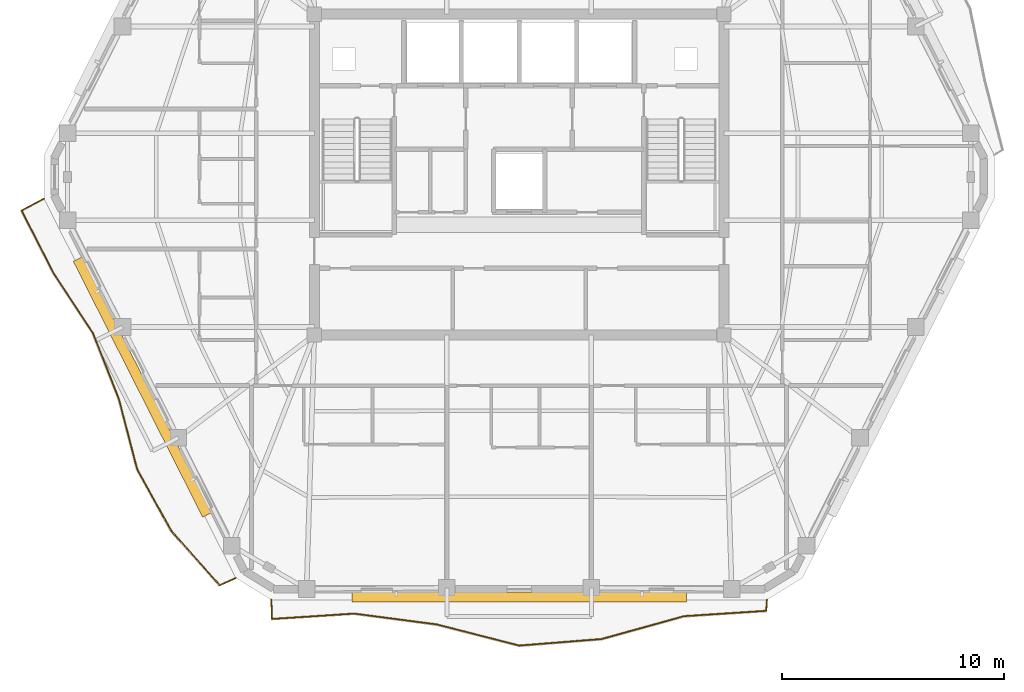
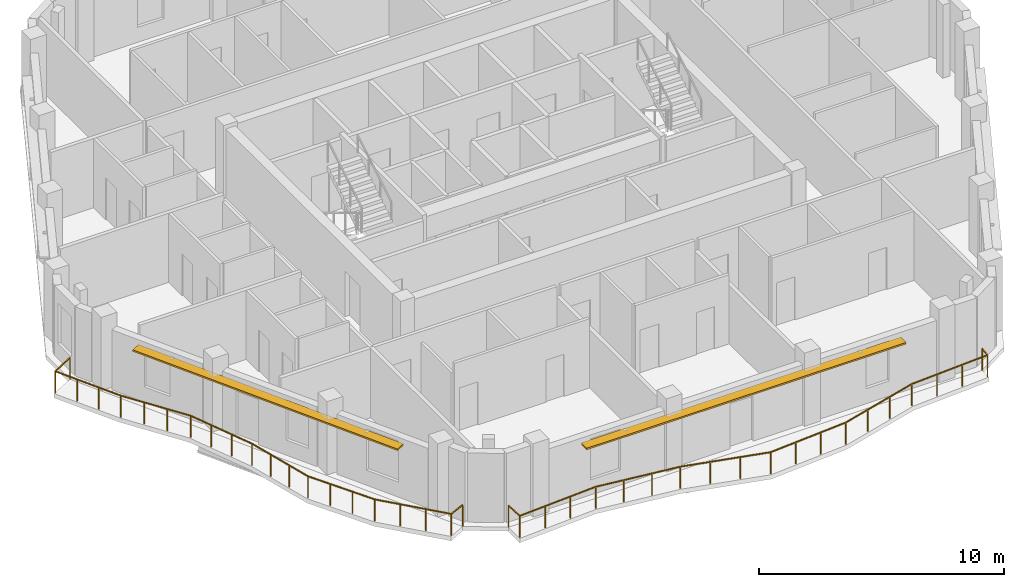
# One storey, part 9 of 11: 2 railings, 2 shading devices.
"""IFC4 building model written with IfcOpenShell, lengths in metres."""

import ifcopenshell
import ifcopenshell.guid

model = None  # the IFC model being written
_history = None  # IfcOwnerHistory: only IFC2X3 demands one
_inside = {}  # id of a spatial element -> (the spatial element, [elements in it])
_under = {}  # id of a project, library or spatial element -> (it, [spatial elements below it])
_declared = {}  # id of a project -> (the project, [libraries it declares])
_typed = {}  # id of a type object -> (the type object, [elements of that type])
_made_of = {}  # id of a material, layer set ... -> (it, [elements and type objects made of it])


def new_model(schema):
    """Start an empty IFC model of exactly this schema.

    Asked for "IFC4X3", IfcOpenShell would pick the latest addendum, in which some entities
    have other attributes; the version numbers below select the first issue.
    IFC2X3 requires an IfcOwnerHistory on every rooted entity: one is made here for all.
    """
    global model, _history
    if schema == "IFC4X3":
        model = ifcopenshell.file(schema_version=(4, 3, 0, 0))
    else:
        model = ifcopenshell.file(schema=schema)
    _inside.clear()
    _under.clear()
    _declared.clear()
    _typed.clear()
    _made_of.clear()
    _history = None
    if model.schema == "IFC2X3":
        org = make("IfcOrganization", Name="unknown")
        user = make(
            "IfcPersonAndOrganization",
            ThePerson=make("IfcPerson", FamilyName="unknown"),
            TheOrganization=org,
        )
        app = make(
            "IfcApplication",
            ApplicationDeveloper=org,
            Version="unknown",
            ApplicationFullName="unknown",
            ApplicationIdentifier="unknown",
        )
        _history = make(
            "IfcOwnerHistory",
            OwningUser=user,
            OwningApplication=app,
            ChangeAction="ADDED",
            CreationDate=0,
        )
    return model


def make(cls, **values):
    """One entity of the class cls with the attributes given. An attribute that is None is left unset."""
    return model.create_entity(
        cls, **{name: value for name, value in values.items() if value is not None}
    )


def rooted(cls, **values):
    """An entity with a GlobalId (a new one), such as an element, a storey or a relation."""
    return make(cls, GlobalId=ifcopenshell.guid.new(), OwnerHistory=_history, **values)


def si_unit(unit_type, name, prefix=None):
    """IfcSIUnit, for example si_unit("LENGTHUNIT", "METRE", prefix="MILLI")."""
    return make("IfcSIUnit", UnitType=unit_type, Prefix=prefix, Name=name)


def assignment(units):
    """IfcUnitAssignment: the units of a project."""
    return None if units is None else make("IfcUnitAssignment", Units=units)


def point(xyz):
    """IfcCartesianPoint."""
    return None if xyz is None else make("IfcCartesianPoint", Coordinates=xyz)


def direction(xyz):
    """IfcDirection."""
    return None if xyz is None else make("IfcDirection", DirectionRatios=xyz)


def frame(location, z_axis=None, x_axis=None):
    """IfcAxis2Placement3D, a coordinate frame: its origin and axes. An axis left out is left unset."""
    return make(
        "IfcAxis2Placement3D",
        Location=point(location),
        Axis=direction(z_axis),
        RefDirection=direction(x_axis),
    )


def frame_2d(location, x_axis=None):
    """IfcAxis2Placement2D, a coordinate frame in the plane: its origin and x axis."""
    return make(
        "IfcAxis2Placement2D", Location=point(location), RefDirection=direction(x_axis)
    )


def origin():
    """The frame at (0, 0, 0) with its axes left unset."""
    return frame((0.0, 0.0, 0.0))


def origin_2d():
    """The frame at (0, 0) in the plane with its x axis left unset."""
    return frame_2d((0.0, 0.0))


def place(relative_to, where):
    """IfcLocalPlacement: puts the frame where relative to a parent placement (None: the world)."""
    return make(
        "IfcLocalPlacement", PlacementRelTo=relative_to, RelativePlacement=where
    )


def context(
    kind, dimensions, precision=None, world=None, true_north=None, identifier=None
):
    """IfcGeometricRepresentationContext, for example the 3D "Model" context."""
    return make(
        "IfcGeometricRepresentationContext",
        ContextIdentifier=identifier,
        ContextType=kind,
        CoordinateSpaceDimension=dimensions,
        Precision=precision,
        WorldCoordinateSystem=world,
        TrueNorth=true_north,
    )


def subcontext(parent, identifier, kind, view, scale=None):
    """IfcGeometricRepresentationSubContext, for example "Body" below "Model"."""
    return make(
        "IfcGeometricRepresentationSubContext",
        ContextIdentifier=identifier,
        ContextType=kind,
        ParentContext=parent,
        TargetScale=scale,
        TargetView=view,
    )


def project(units=None, contexts=None):
    """IfcProject with its units and contexts."""
    return rooted(
        "IfcProject",
        Name="project",
        RepresentationContexts=contexts,
        UnitsInContext=assignment(units),
    )


def spatial(cls, under=None, at=None, **own):
    """A site, building, storey or space (cls), placed at a placement, below another one or the project."""
    s = rooted(cls, ObjectPlacement=at, **own)
    if under is not None:
        _under.setdefault(under.id(), (under, []))[1].append(s)
    return s


def profile(cls, at=None, kind="AREA", **sizes):
    """A parametric profile (cls). Its sizes go by their IFC names, for example OverallWidth=200.0."""
    return make(cls, ProfileType=kind, Position=at, **sizes)


def rectangle(**sizes):
    """IfcRectangleProfileDef."""
    return profile("IfcRectangleProfileDef", **sizes)


def extrude(swept, where, along, depth):
    """IfcExtrudedAreaSolid: the profile swept, set in the frame where, extruded along a direction by depth."""
    return make(
        "IfcExtrudedAreaSolid",
        SweptArea=swept,
        Position=where,
        ExtrudedDirection=direction(along),
        Depth=depth,
    )


def shape(context_of_items, identifier, shape_type, items):
    """IfcShapeRepresentation: the items that make up one representation, for example the "Body"."""
    return make(
        "IfcShapeRepresentation",
        ContextOfItems=context_of_items,
        RepresentationIdentifier=identifier,
        RepresentationType=shape_type,
        Items=items,
    )


def material(Name=None, Category=None):
    """IfcMaterial."""
    return make("IfcMaterial", Name=Name, Category=Category)


def layer(
    of_material, thickness, ventilated=None, Name=None, Category=None, Priority=None
):
    """IfcMaterialLayer: one layer of a wall or slab, of a material (None: an air gap)."""
    return make(
        "IfcMaterialLayer",
        Material=of_material,
        LayerThickness=thickness,
        IsVentilated=ventilated,
        Name=Name,
        Category=Category,
        Priority=Priority,
    )


def layer_set(layers, Name=None):
    """IfcMaterialLayerSet."""
    return make("IfcMaterialLayerSet", MaterialLayers=layers, LayerSetName=Name)


def made_of(thing, what):
    """Note that an element or type object is made of a material, layer set ...; save() writes the relation."""
    if what is not None:
        _made_of.setdefault(what.id(), (what, []))[1].append(thing)
    return thing


def type_object(cls, material=None, **own):
    """A type object (cls), such as IfcWallType, which elements share."""
    return made_of(rooted(cls, **own), material)


def element(
    cls,
    number,
    at=None,
    inside=None,
    cuts=None,
    type_object=None,
    material=None,
    context=None,
    identifier="Body",
    shape_type=None,
    held_by="IfcProductDefinitionShape",
    body=None,
    shapes=None,
    **own,
):
    """One element of the class cls, such as IfcWall. Its Tag is "e" and its number.

    at: its placement. inside: the storey or other place that contains it. cuts: it is an
    opening in that element (IfcRelVoidsElement). A single representation is given by context,
    identifier, shape_type and body (its items); several are given by shapes. held_by: the class
    of the entity that holds the representations. save() writes the other relations.
    """
    e = rooted(cls, Tag="e%d" % number, ObjectPlacement=at, **own)
    if body is not None:
        shapes = [shape(context, identifier, shape_type, body)]
    if shapes is not None:
        e.Representation = make(held_by, Representations=shapes)
    if inside is not None:
        _inside.setdefault(inside.id(), (inside, []))[1].append(e)
    if cuts is not None:
        rooted(
            "IfcRelVoidsElement", RelatingBuildingElement=cuts, RelatedOpeningElement=e
        )
    if type_object is not None:
        _typed.setdefault(type_object.id(), (type_object, []))[1].append(e)
    return made_of(e, material)


def aggregate(whole, parts):
    """IfcRelAggregates: a whole, such as a stair, and the parts it consists of."""
    return rooted("IfcRelAggregates", RelatingObject=whole, RelatedObjects=parts)


def save(model, path):
    """Write the relations noted so far, then the file.

    IfcRelAggregates (storeys below a building ...), IfcRelContainedInSpatialStructure (elements
    in a storey), IfcRelDefinesByType, IfcRelAssociatesMaterial and IfcRelDeclares: one each for
    every whole, place, type object, material and project.
    """
    for whole, parts in _under.values():
        aggregate(whole, parts)
    for where, things in _inside.values():
        rooted(
            "IfcRelContainedInSpatialStructure",
            RelatedElements=things,
            RelatingStructure=where,
        )
    for kind, things in _typed.values():
        rooted("IfcRelDefinesByType", RelatedObjects=things, RelatingType=kind)
    for what, things in _made_of.values():
        rooted("IfcRelAssociatesMaterial", RelatedObjects=things, RelatingMaterial=what)
    for by, libraries in _declared.values():
        rooted("IfcRelDeclares", RelatingContext=by, RelatedDefinitions=libraries)
    model.write(path)


model = new_model("IFC4")

# Units and contexts
model_context = context("Model", 3, precision=1e-05, world=origin(), true_north=direction((0.0, 1.0)))
body_context = subcontext(model_context, "Body", "Model", "MODEL_VIEW")
ifc_project = project(units=[si_unit("LENGTHUNIT", "METRE"), si_unit("AREAUNIT", "SQUARE_METRE"), si_unit("VOLUMEUNIT", "CUBIC_METRE"), si_unit("PLANEANGLEUNIT", "RADIAN"), si_unit("MASSUNIT", "GRAM", prefix="KILO")], contexts=[model_context])

# Site, building, storey
site_placement = place(None, origin())
site = spatial("IfcSite", under=ifc_project, at=site_placement, CompositionType="ELEMENT")
building_placement = place(site_placement, origin())
building = spatial("IfcBuilding", under=site, at=building_placement, Name="Cinnabar Lancet Tower", CompositionType="ELEMENT")
storey_placement = place(building_placement, frame((0.0, 0.0, 241.60009765625)))
storey = spatial("IfcBuildingStorey", under=building, at=storey_placement, Name="L64", CompositionType="ELEMENT", Elevation=241.60009765625)

# Railings
ifc_material_1 = material(Name="Laminated safety glass and bronze stainless steel balustrade", Category="steel")
railing_type = type_object("IfcRailingType", Name="ENV-RLG-BAL-1100", PredefinedType="BALUSTRADE", material=ifc_material_1)
railing_1_placement = place(storey_placement, frame((21.236083984375, 6.75, 0.0)))
element("IfcRailing", 1, at=railing_1_placement, inside=storey, type_object=railing_type, Name="L64 Face 1 Wave Balcony Balustrade", PredefinedType="BALUSTRADE", context=body_context, shape_type="SweptSolid", body=[
    extrude(rectangle(XDim=0.048095703125, YDim=0.048095703125, at=origin_2d()), frame((0.0, 0.0, 1.076171875), z_axis=(0.0392463717, -0.999229564369, 0.0), x_axis=(0.999229564369, 0.0392463717, 0.0)), (0.0, 0.0, 1.0), 0.86474609375),
    extrude(rectangle(XDim=0.048095703125, YDim=0.048095703125, at=origin_2d()), frame((0.033935546875, -0.864013671875, 1.076171875), z_axis=(0.997865440972, 0.065303611797, 0.0), x_axis=(-0.065303611797, 0.997865440972, 0.0)), (0.0, 0.0, 1.0), 3.719970703125),
    extrude(rectangle(XDim=0.048095703125, YDim=0.048095703125, at=origin_2d()), frame((3.745849609375, -0.62109375, 1.076171875), z_axis=(0.991500426281, -0.130103438405, 0.0), x_axis=(0.130103438405, 0.991500426281, 0.0)), (0.0, 0.0, 1.0), 3.74169921875),
    extrude(rectangle(XDim=0.048095703125, YDim=0.048095703125, at=origin_2d()), frame((7.455810546875, -1.10791015625, 1.076171875), z_axis=(0.968577255981, -0.248712885062, 0.0), x_axis=(0.248712885062, 0.968577255981, 0.0)), (0.0, 0.0, 1.0), 3.828369140625),
    extrude(rectangle(XDim=0.048095703125, YDim=0.048095703125, at=origin_2d()), frame((11.163818359375, -2.06005859375, 1.076171875), z_axis=(0.996894896171, 0.078743672683, 0.0), x_axis=(-0.078743672683, 0.996894896171, 0.0)), (0.0, 0.0, 1.0), 3.720458984375),
    extrude(rectangle(XDim=0.048095703125, YDim=0.048095703125, at=origin_2d()), frame((14.872802734375, -1.76708984375, 1.076171875), z_axis=(0.963604181879, 0.267333089358, 0.0), x_axis=(-0.267333089358, 0.963604181879, 0.0)), (0.0, 0.0, 1.0), 3.849365234375),
    extrude(rectangle(XDim=0.048095703125, YDim=0.048095703125, at=origin_2d()), frame((18.58203125, -0.738037109375, 1.076171875), z_axis=(0.997898417736, 0.064797745941, 0.0), x_axis=(-0.064797745941, 0.997898417736, 0.0)), (0.0, 0.0, 1.0), 3.71875),
    extrude(rectangle(XDim=0.048095703125, YDim=0.048095703125, at=origin_2d()), frame((22.29296875, -0.4970703125, 1.076171875), z_axis=(0.070063156057, 0.99754255757, 0.0), x_axis=(-0.99754255757, 0.070063156057, 0.0)), (0.0, 0.0, 1.0), 0.498291015625),
    extrude(rectangle(XDim=0.0419921875, YDim=0.0419921875, at=origin_2d()), origin(), (0.0, 0.0, 1.0), 1.052001953125),
    extrude(rectangle(XDim=0.0419921875, YDim=0.0419921875, at=origin_2d()), frame((0.033935546875, -0.864013671875, 0.0)), (0.0, 0.0, 1.0), 1.052001953125),
    extrude(rectangle(XDim=0.0419921875, YDim=0.0419921875, at=origin_2d()), frame((1.271240234375, -0.782958984375, 0.0)), (0.0, 0.0, 1.0), 1.052001953125),
    extrude(rectangle(XDim=0.0419921875, YDim=0.0419921875, at=origin_2d()), frame((2.508544921875, -0.7021484375, 0.0)), (0.0, 0.0, 1.0), 1.052001953125),
    extrude(rectangle(XDim=0.0419921875, YDim=0.0419921875, at=origin_2d()), frame((3.745849609375, -0.62109375, 0.0)), (0.0, 0.0, 1.0), 1.052001953125),
    extrude(rectangle(XDim=0.0419921875, YDim=0.0419921875, at=origin_2d()), frame((4.982421875, -0.783447265625, 0.0)), (0.0, 0.0, 1.0), 1.052001953125),
    extrude(rectangle(XDim=0.0419921875, YDim=0.0419921875, at=origin_2d()), frame((6.21923828125, -0.945556640625, 0.0)), (0.0, 0.0, 1.0), 1.052001953125),
    extrude(rectangle(XDim=0.0419921875, YDim=0.0419921875, at=origin_2d()), frame((7.455810546875, -1.10791015625, 0.0)), (0.0, 0.0, 1.0), 1.052001953125),
    extrude(rectangle(XDim=0.0419921875, YDim=0.0419921875, at=origin_2d()), frame((8.69189453125, -1.42529296875, 0.0)), (0.0, 0.0, 1.0), 1.052001953125),
    extrude(rectangle(XDim=0.0419921875, YDim=0.0419921875, at=origin_2d()), frame((9.927734375, -1.74267578125, 0.0)), (0.0, 0.0, 1.0), 1.052001953125),
    extrude(rectangle(XDim=0.0419921875, YDim=0.0419921875, at=origin_2d()), frame((11.163818359375, -2.06005859375, 0.0)), (0.0, 0.0, 1.0), 1.052001953125),
    extrude(rectangle(XDim=0.0419921875, YDim=0.0419921875, at=origin_2d()), frame((12.400146484375, -1.96240234375, 0.0)), (0.0, 0.0, 1.0), 1.052001953125),
    extrude(rectangle(XDim=0.0419921875, YDim=0.0419921875, at=origin_2d()), frame((13.636474609375, -1.86474609375, 0.0)), (0.0, 0.0, 1.0), 1.052001953125),
    extrude(rectangle(XDim=0.0419921875, YDim=0.0419921875, at=origin_2d()), frame((14.872802734375, -1.76708984375, 0.0)), (0.0, 0.0, 1.0), 1.052001953125),
    extrude(rectangle(XDim=0.0419921875, YDim=0.0419921875, at=origin_2d()), frame((16.109130859375, -1.424072265625, 0.0)), (0.0, 0.0, 1.0), 1.052001953125),
    extrude(rectangle(XDim=0.0419921875, YDim=0.0419921875, at=origin_2d()), frame((17.345703125, -1.0810546875, 0.0)), (0.0, 0.0, 1.0), 1.052001953125),
    extrude(rectangle(XDim=0.0419921875, YDim=0.0419921875, at=origin_2d()), frame((18.58203125, -0.738037109375, 0.0)), (0.0, 0.0, 1.0), 1.052001953125),
    extrude(rectangle(XDim=0.0419921875, YDim=0.0419921875, at=origin_2d()), frame((19.819091796875, -0.65771484375, 0.0)), (0.0, 0.0, 1.0), 1.052001953125),
    extrude(rectangle(XDim=0.0419921875, YDim=0.0419921875, at=origin_2d()), frame((21.055908203125, -0.577392578125, 0.0)), (0.0, 0.0, 1.0), 1.052001953125),
    extrude(rectangle(XDim=0.0419921875, YDim=0.0419921875, at=origin_2d()), frame((22.29296875, -0.4970703125, 0.0)), (0.0, 0.0, 1.0), 1.052001953125),
    extrude(rectangle(XDim=0.0419921875, YDim=0.0419921875, at=origin_2d()), frame((22.327880859375, 0.0, 0.0)), (0.0, 0.0, 1.0), 1.052001953125),
])
railing_2_placement = place(storey_placement, frame((10.9970703125, 24.818115234375, 0.0)))
element("IfcRailing", 2, at=railing_2_placement, inside=storey, type_object=railing_type, Name="L64 Face 6 Wave Balcony Balustrade", PredefinedType="BALUSTRADE", context=body_context, shape_type="SweptSolid", body=[
    extrude(rectangle(XDim=0.048095703125, YDim=0.048095703125, at=origin_2d()), frame((0.0, 0.0, 1.076171875), z_axis=(-0.881286154222, -0.472583023791, 0.0), x_axis=(0.472583023791, -0.881286154222, 0.0)), (0.0, 0.0, 1.0), 1.142822265625),
    extrude(rectangle(XDim=0.048095703125, YDim=0.048095703125, at=origin_2d()), frame((-1.007080078125, -0.5400390625, 1.076171875), z_axis=(0.45584474742, -0.890059304906, 0.0), x_axis=(0.890059304906, 0.45584474742, 0.0)), (0.0, 0.0, 1.0), 3.182861328125),
    extrude(rectangle(XDim=0.048095703125, YDim=0.048095703125, at=origin_2d()), frame((0.44384765625, -3.373046875, 1.076171875), z_axis=(0.549780369851, -0.835309251072, 0.0), x_axis=(0.835309251072, 0.549780369851, 0.0)), (0.0, 0.0, 1.0), 3.201416015625),
    extrude(rectangle(XDim=0.048095703125, YDim=0.048095703125, at=origin_2d()), frame((2.203857421875, -6.047119140625, 1.076171875), z_axis=(0.366733076849, -0.930326206416, 0.0), x_axis=(0.930326206416, 0.366733076849, 0.0)), (0.0, 0.0, 1.0), 3.193359375),
    extrude(rectangle(XDim=0.048095703125, YDim=0.048095703125, at=origin_2d()), frame((3.375, -9.01806640625, 1.076171875), z_axis=(0.251506015051, -0.967855735321, 0.0), x_axis=(0.967855735321, 0.251506015051, 0.0)), (0.0, 0.0, 1.0), 3.255859375),
    extrude(rectangle(XDim=0.048095703125, YDim=0.048095703125, at=origin_2d()), frame((4.19384765625, -12.169189453125, 1.076171875), z_axis=(0.482834044615, -0.875711873484, 0.0), x_axis=(0.875711873484, 0.482834044615, 0.0)), (0.0, 0.0, 1.0), 3.18359375),
    extrude(rectangle(XDim=0.048095703125, YDim=0.048095703125, at=origin_2d()), frame((5.73095703125, -14.95703125, 1.076171875), z_axis=(0.665072255138, -0.746779013796, 0.0), x_axis=(0.746779013796, 0.665072255138, 0.0)), (0.0, 0.0, 1.0), 3.292724609375),
    extrude(rectangle(XDim=0.048095703125, YDim=0.048095703125, at=origin_2d()), frame((7.9208984375, -17.416015625, 1.076171875), z_axis=(0.909351342284, 0.416029008949, 0.0), x_axis=(-0.416029008949, 0.909351342284, 0.0)), (0.0, 0.0, 1.0), 0.792724609375),
    extrude(rectangle(XDim=0.0419921875, YDim=0.0419921875, at=origin_2d()), origin(), (0.0, 0.0, 1.0), 1.052001953125),
    extrude(rectangle(XDim=0.0419921875, YDim=0.0419921875, at=origin_2d()), frame((-1.007080078125, -0.5400390625, 0.0)), (0.0, 0.0, 1.0), 1.052001953125),
    extrude(rectangle(XDim=0.0419921875, YDim=0.0419921875, at=origin_2d()), frame((-0.5234375, -1.484375, 0.0)), (0.0, 0.0, 1.0), 1.052001953125),
    extrude(rectangle(XDim=0.0419921875, YDim=0.0419921875, at=origin_2d()), frame((-0.039794921875, -2.4287109375, 0.0)), (0.0, 0.0, 1.0), 1.052001953125),
    extrude(rectangle(XDim=0.0419921875, YDim=0.0419921875, at=origin_2d()), frame((0.44384765625, -3.373046875, 0.0)), (0.0, 0.0, 1.0), 1.052001953125),
    extrude(rectangle(XDim=0.0419921875, YDim=0.0419921875, at=origin_2d()), frame((1.030517578125, -4.264404296875, 0.0)), (0.0, 0.0, 1.0), 1.052001953125),
    extrude(rectangle(XDim=0.0419921875, YDim=0.0419921875, at=origin_2d()), frame((1.6171875, -5.15576171875, 0.0)), (0.0, 0.0, 1.0), 1.052001953125),
    extrude(rectangle(XDim=0.0419921875, YDim=0.0419921875, at=origin_2d()), frame((2.203857421875, -6.047119140625, 0.0)), (0.0, 0.0, 1.0), 1.052001953125),
    extrude(rectangle(XDim=0.0419921875, YDim=0.0419921875, at=origin_2d()), frame((2.59423828125, -7.037353515625, 0.0)), (0.0, 0.0, 1.0), 1.052001953125),
    extrude(rectangle(XDim=0.0419921875, YDim=0.0419921875, at=origin_2d()), frame((2.984619140625, -8.02783203125, 0.0)), (0.0, 0.0, 1.0), 1.052001953125),
    extrude(rectangle(XDim=0.0419921875, YDim=0.0419921875, at=origin_2d()), frame((3.375, -9.01806640625, 0.0)), (0.0, 0.0, 1.0), 1.052001953125),
    extrude(rectangle(XDim=0.0419921875, YDim=0.0419921875, at=origin_2d()), frame((3.64794921875, -10.068359375, 0.0)), (0.0, 0.0, 1.0), 1.052001953125),
    extrude(rectangle(XDim=0.0419921875, YDim=0.0419921875, at=origin_2d()), frame((3.9208984375, -11.118896484375, 0.0)), (0.0, 0.0, 1.0), 1.052001953125),
    extrude(rectangle(XDim=0.0419921875, YDim=0.0419921875, at=origin_2d()), frame((4.19384765625, -12.169189453125, 0.0)), (0.0, 0.0, 1.0), 1.052001953125),
    extrude(rectangle(XDim=0.0419921875, YDim=0.0419921875, at=origin_2d()), frame((4.706298828125, -13.098388671875, 0.0)), (0.0, 0.0, 1.0), 1.052001953125),
    extrude(rectangle(XDim=0.0419921875, YDim=0.0419921875, at=origin_2d()), frame((5.218505859375, -14.02783203125, 0.0)), (0.0, 0.0, 1.0), 1.052001953125),
    extrude(rectangle(XDim=0.0419921875, YDim=0.0419921875, at=origin_2d()), frame((5.73095703125, -14.95703125, 0.0)), (0.0, 0.0, 1.0), 1.052001953125),
    extrude(rectangle(XDim=0.0419921875, YDim=0.0419921875, at=origin_2d()), frame((6.4609375, -15.776611328125, 0.0)), (0.0, 0.0, 1.0), 1.052001953125),
    extrude(rectangle(XDim=0.0419921875, YDim=0.0419921875, at=origin_2d()), frame((7.19091796875, -16.596435546875, 0.0)), (0.0, 0.0, 1.0), 1.052001953125),
    extrude(rectangle(XDim=0.0419921875, YDim=0.0419921875, at=origin_2d()), frame((7.9208984375, -17.416015625, 0.0)), (0.0, 0.0, 1.0), 1.052001953125),
    extrude(rectangle(XDim=0.0419921875, YDim=0.0419921875, at=origin_2d()), frame((8.641845703125, -17.086181640625, 0.0)), (0.0, 0.0, 1.0), 1.052001953125),
])

# Shading devices
ifc_material_2 = material(Name="Pale limestone architectural aluminium sunshade", Category="masonry")
ifc_layer = layer(ifc_material_2, 0.080078125)
ifc_layer_set = layer_set([ifc_layer], Name="Pale limestone architectural aluminium sunshade")
shading_device_type = type_object("IfcShadingDeviceType", Name="ENV-SHD-LVR-450", PredefinedType="JALOUSIE", material=ifc_layer_set)
shading_device_1_placement = place(storey_placement, frame((32.39990234375, 6.8798828125, 2.639892578125), z_axis=(0.0, 0.0, 1.0), x_axis=(1.0, 0.0, 0.0)))
element("IfcShadingDevice", 3, at=shading_device_1_placement, inside=storey, type_object=shading_device_type, Name="L64 Face 1 Horizontal Sunshade Canopy", PredefinedType="JALOUSIE", context=body_context, shape_type="SweptSolid", body=[
    extrude(rectangle(XDim=15.06103515625, YDim=0.449951171875, at=origin_2d()), origin(), (0.0, 0.0, 1.0), 0.080078125),
])
shading_device_2_placement = place(storey_placement, frame((15.43603515625, 16.330078125, 2.639892578125), z_axis=(0.0, 0.0, 1.0), x_axis=(0.451375984307, -0.89233386173, 0.0)))
element("IfcShadingDevice", 4, at=shading_device_2_placement, inside=storey, type_object=shading_device_type, Name="L64 Face 6 Horizontal Sunshade Canopy", PredefinedType="JALOUSIE", context=body_context, shape_type="SweptSolid", body=[
    extrude(rectangle(XDim=12.912109375, YDim=0.449951171875, at=origin_2d()), origin(), (0.0, 0.0, 1.0), 0.080078125),
])

save(model, "model.ifc")
